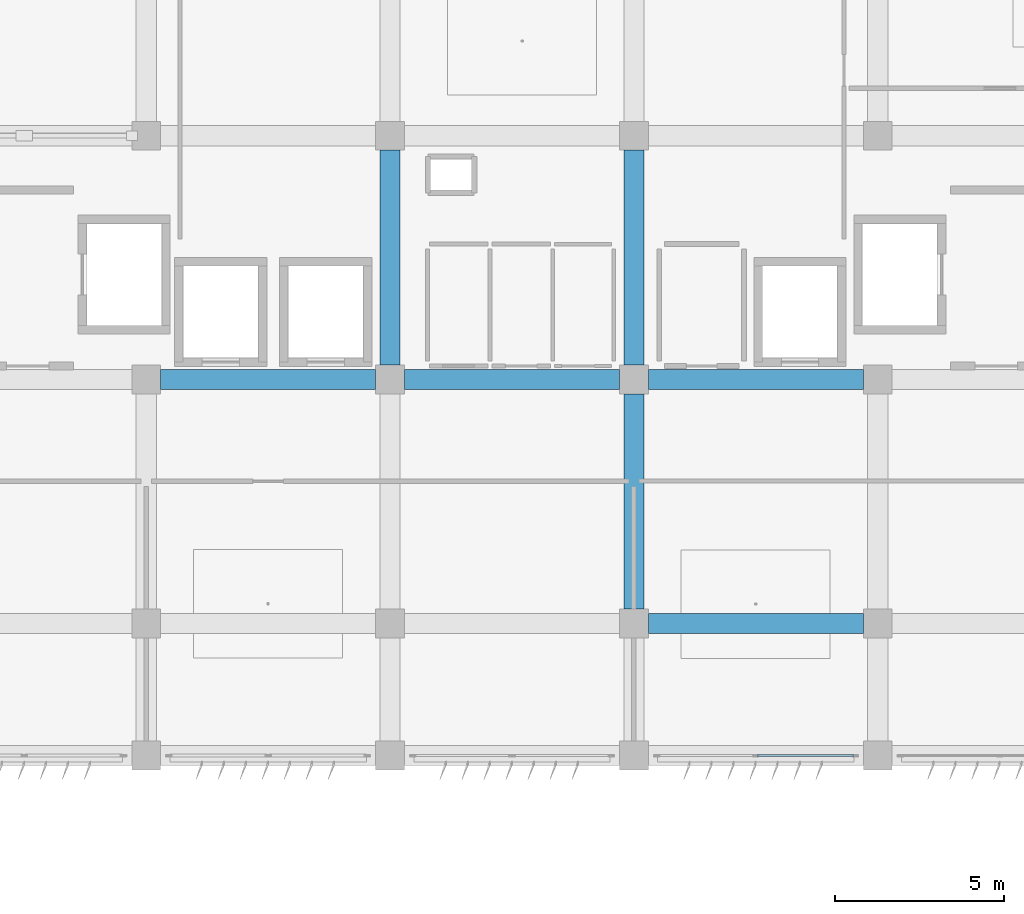
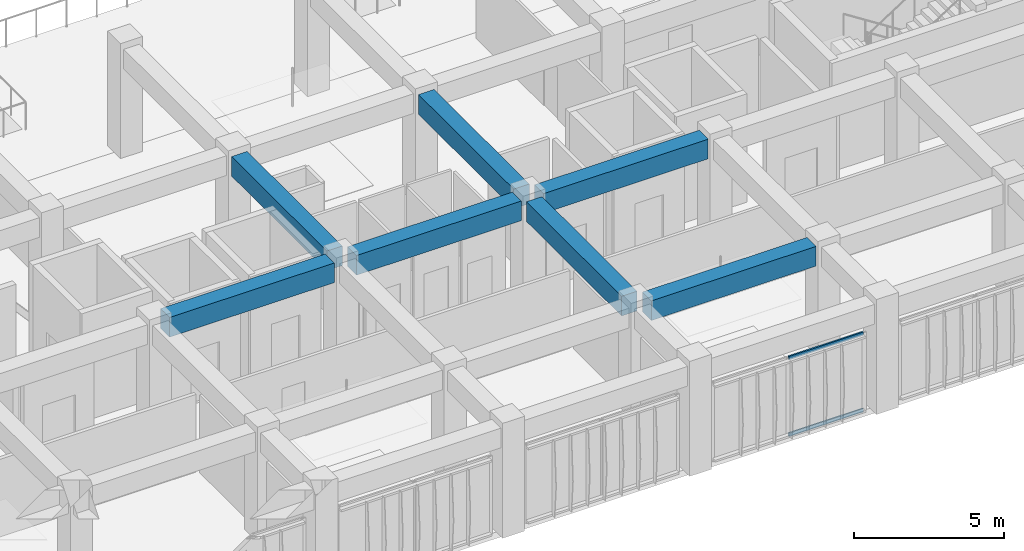
# One storey, part 14 of 55: 7 beams, 2 members, 1 element without a shape of its own.
"""IFC4 building model written with IfcOpenShell, lengths in metres."""

import ifcopenshell
import ifcopenshell.guid

model = None  # the IFC model being written
_history = None  # IfcOwnerHistory: only IFC2X3 demands one
_inside = {}  # id of a spatial element -> (the spatial element, [elements in it])
_under = {}  # id of a project, library or spatial element -> (it, [spatial elements below it])
_declared = {}  # id of a project -> (the project, [libraries it declares])
_typed = {}  # id of a type object -> (the type object, [elements of that type])
_made_of = {}  # id of a material, layer set ... -> (it, [elements and type objects made of it])


def new_model(schema):
    """Start an empty IFC model of exactly this schema.

    Asked for "IFC4X3", IfcOpenShell would pick the latest addendum, in which some entities
    have other attributes; the version numbers below select the first issue.
    IFC2X3 requires an IfcOwnerHistory on every rooted entity: one is made here for all.
    """
    global model, _history
    if schema == "IFC4X3":
        model = ifcopenshell.file(schema_version=(4, 3, 0, 0))
    else:
        model = ifcopenshell.file(schema=schema)
    _inside.clear()
    _under.clear()
    _declared.clear()
    _typed.clear()
    _made_of.clear()
    _history = None
    if model.schema == "IFC2X3":
        org = make("IfcOrganization", Name="unknown")
        user = make(
            "IfcPersonAndOrganization",
            ThePerson=make("IfcPerson", FamilyName="unknown"),
            TheOrganization=org,
        )
        app = make(
            "IfcApplication",
            ApplicationDeveloper=org,
            Version="unknown",
            ApplicationFullName="unknown",
            ApplicationIdentifier="unknown",
        )
        _history = make(
            "IfcOwnerHistory",
            OwningUser=user,
            OwningApplication=app,
            ChangeAction="ADDED",
            CreationDate=0,
        )
    return model


def make(cls, **values):
    """One entity of the class cls with the attributes given. An attribute that is None is left unset."""
    return model.create_entity(
        cls, **{name: value for name, value in values.items() if value is not None}
    )


def rooted(cls, **values):
    """An entity with a GlobalId (a new one), such as an element, a storey or a relation."""
    return make(cls, GlobalId=ifcopenshell.guid.new(), OwnerHistory=_history, **values)


def si_unit(unit_type, name, prefix=None):
    """IfcSIUnit, for example si_unit("LENGTHUNIT", "METRE", prefix="MILLI")."""
    return make("IfcSIUnit", UnitType=unit_type, Prefix=prefix, Name=name)


def assignment(units):
    """IfcUnitAssignment: the units of a project."""
    return None if units is None else make("IfcUnitAssignment", Units=units)


def point(xyz):
    """IfcCartesianPoint."""
    return None if xyz is None else make("IfcCartesianPoint", Coordinates=xyz)


def direction(xyz):
    """IfcDirection."""
    return None if xyz is None else make("IfcDirection", DirectionRatios=xyz)


def frame(location, z_axis=None, x_axis=None):
    """IfcAxis2Placement3D, a coordinate frame: its origin and axes. An axis left out is left unset."""
    return make(
        "IfcAxis2Placement3D",
        Location=point(location),
        Axis=direction(z_axis),
        RefDirection=direction(x_axis),
    )


def frame_2d(location, x_axis=None):
    """IfcAxis2Placement2D, a coordinate frame in the plane: its origin and x axis."""
    return make(
        "IfcAxis2Placement2D", Location=point(location), RefDirection=direction(x_axis)
    )


def origin():
    """The frame at (0, 0, 0) with its axes left unset."""
    return frame((0.0, 0.0, 0.0))


def origin_2d():
    """The frame at (0, 0) in the plane with its x axis left unset."""
    return frame_2d((0.0, 0.0))


def place(relative_to, where):
    """IfcLocalPlacement: puts the frame where relative to a parent placement (None: the world)."""
    return make(
        "IfcLocalPlacement", PlacementRelTo=relative_to, RelativePlacement=where
    )


def context(
    kind, dimensions, precision=None, world=None, true_north=None, identifier=None
):
    """IfcGeometricRepresentationContext, for example the 3D "Model" context."""
    return make(
        "IfcGeometricRepresentationContext",
        ContextIdentifier=identifier,
        ContextType=kind,
        CoordinateSpaceDimension=dimensions,
        Precision=precision,
        WorldCoordinateSystem=world,
        TrueNorth=true_north,
    )


def subcontext(parent, identifier, kind, view, scale=None):
    """IfcGeometricRepresentationSubContext, for example "Body" below "Model"."""
    return make(
        "IfcGeometricRepresentationSubContext",
        ContextIdentifier=identifier,
        ContextType=kind,
        ParentContext=parent,
        TargetScale=scale,
        TargetView=view,
    )


def project(units=None, contexts=None):
    """IfcProject with its units and contexts."""
    return rooted(
        "IfcProject",
        Name="project",
        RepresentationContexts=contexts,
        UnitsInContext=assignment(units),
    )


def spatial(cls, under=None, at=None, **own):
    """A site, building, storey or space (cls), placed at a placement, below another one or the project."""
    s = rooted(cls, ObjectPlacement=at, **own)
    if under is not None:
        _under.setdefault(under.id(), (under, []))[1].append(s)
    return s


def profile(cls, at=None, kind="AREA", **sizes):
    """A parametric profile (cls). Its sizes go by their IFC names, for example OverallWidth=200.0."""
    return make(cls, ProfileType=kind, Position=at, **sizes)


def rectangle(**sizes):
    """IfcRectangleProfileDef."""
    return profile("IfcRectangleProfileDef", **sizes)


def hollow_rectangle(**sizes):
    """IfcRectangleHollowProfileDef."""
    return profile("IfcRectangleHollowProfileDef", **sizes)


def extrude(swept, where, along, depth):
    """IfcExtrudedAreaSolid: the profile swept, set in the frame where, extruded along a direction by depth."""
    return make(
        "IfcExtrudedAreaSolid",
        SweptArea=swept,
        Position=where,
        ExtrudedDirection=direction(along),
        Depth=depth,
    )


def shape(context_of_items, identifier, shape_type, items):
    """IfcShapeRepresentation: the items that make up one representation, for example the "Body"."""
    return make(
        "IfcShapeRepresentation",
        ContextOfItems=context_of_items,
        RepresentationIdentifier=identifier,
        RepresentationType=shape_type,
        Items=items,
    )


def material(Name=None, Category=None):
    """IfcMaterial."""
    return make("IfcMaterial", Name=Name, Category=Category)


def material_profile(
    of_material, cross_section, Name=None, Category=None, Priority=None
):
    """IfcMaterialProfile: a cross section and its material."""
    return make(
        "IfcMaterialProfile",
        Name=Name,
        Material=of_material,
        Profile=cross_section,
        Priority=Priority,
        Category=Category,
    )


def profile_set(profiles, Name=None, composite=None):
    """IfcMaterialProfileSet."""
    return make(
        "IfcMaterialProfileSet",
        Name=Name,
        MaterialProfiles=profiles,
        CompositeProfile=composite,
    )


def made_of(thing, what):
    """Note that an element or type object is made of a material, layer set ...; save() writes the relation."""
    if what is not None:
        _made_of.setdefault(what.id(), (what, []))[1].append(thing)
    return thing


def type_object(cls, material=None, **own):
    """A type object (cls), such as IfcWallType, which elements share."""
    return made_of(rooted(cls, **own), material)


def element(
    cls,
    number,
    at=None,
    inside=None,
    cuts=None,
    type_object=None,
    material=None,
    context=None,
    identifier="Body",
    shape_type=None,
    held_by="IfcProductDefinitionShape",
    body=None,
    shapes=None,
    **own,
):
    """One element of the class cls, such as IfcWall. Its Tag is "e" and its number.

    at: its placement. inside: the storey or other place that contains it. cuts: it is an
    opening in that element (IfcRelVoidsElement). A single representation is given by context,
    identifier, shape_type and body (its items); several are given by shapes. held_by: the class
    of the entity that holds the representations. save() writes the other relations.
    """
    e = rooted(cls, Tag="e%d" % number, ObjectPlacement=at, **own)
    if body is not None:
        shapes = [shape(context, identifier, shape_type, body)]
    if shapes is not None:
        e.Representation = make(held_by, Representations=shapes)
    if inside is not None:
        _inside.setdefault(inside.id(), (inside, []))[1].append(e)
    if cuts is not None:
        rooted(
            "IfcRelVoidsElement", RelatingBuildingElement=cuts, RelatedOpeningElement=e
        )
    if type_object is not None:
        _typed.setdefault(type_object.id(), (type_object, []))[1].append(e)
    return made_of(e, material)


def aggregate(whole, parts):
    """IfcRelAggregates: a whole, such as a stair, and the parts it consists of."""
    return rooted("IfcRelAggregates", RelatingObject=whole, RelatedObjects=parts)


def save(model, path):
    """Write the relations noted so far, then the file.

    IfcRelAggregates (storeys below a building ...), IfcRelContainedInSpatialStructure (elements
    in a storey), IfcRelDefinesByType, IfcRelAssociatesMaterial and IfcRelDeclares: one each for
    every whole, place, type object, material and project.
    """
    for whole, parts in _under.values():
        aggregate(whole, parts)
    for where, things in _inside.values():
        rooted(
            "IfcRelContainedInSpatialStructure",
            RelatedElements=things,
            RelatingStructure=where,
        )
    for kind, things in _typed.values():
        rooted("IfcRelDefinesByType", RelatedObjects=things, RelatingType=kind)
    for what, things in _made_of.values():
        rooted("IfcRelAssociatesMaterial", RelatedObjects=things, RelatingMaterial=what)
    for by, libraries in _declared.values():
        rooted("IfcRelDeclares", RelatingContext=by, RelatedDefinitions=libraries)
    model.write(path)


model = new_model("IFC4")

# Units and contexts
model_context = context("Model", 3, precision=1e-05, world=origin(), true_north=direction((0.0, 1.0)))
body_context = subcontext(model_context, "Body", "Model", "MODEL_VIEW")
ifc_project = project(units=[si_unit("LENGTHUNIT", "METRE"), si_unit("AREAUNIT", "SQUARE_METRE"), si_unit("VOLUMEUNIT", "CUBIC_METRE"), si_unit("PLANEANGLEUNIT", "RADIAN"), si_unit("MASSUNIT", "GRAM", prefix="KILO")], contexts=[model_context])

# Site, building, storey
site_placement = place(None, origin())
site = spatial("IfcSite", under=ifc_project, at=site_placement, CompositionType="ELEMENT")
building_placement = place(site_placement, origin())
building = spatial("IfcBuilding", under=site, at=building_placement, Name="Kazehaya Institute of Natural Sciences", CompositionType="ELEMENT")
storey_placement = place(building_placement, frame((0.0, 0.0, 15.1201171875)))
storey = spatial("IfcBuildingStorey", under=building, at=storey_placement, Name="L03", CompositionType="ELEMENT", Elevation=15.1201171875)

# Beams
ifc_material_1 = material(Name="Concrete Fc36", Category="concrete")
ifc_material_profile_1 = material_profile(ifc_material_1, rectangle(XDim=0.60009765625, YDim=0.800048828125, at=origin_2d()), Name="RC-600x800")
ifc_profile_set_1 = profile_set([ifc_material_profile_1], Name="Concrete Fc36")
beam_type = type_object("IfcBeamType", Name="BM-G-600x800", PredefinedType="BEAM", material=ifc_profile_set_1)
for number, where, z_axis, x_axis, name in (
    (1, (91.02490234375, 14.0, 4.009765625), (1.0, 0.0, 0.0), (0.0, 1.0, 0.0), "L03 primary X girder BMX-L03-906-140"),
    (2, (76.625, 21.199951171875, 4.009765625), (1.0, 0.0, 0.0), (0.0, 1.0, 0.0), "L03 primary X girder BMX-L03-762-212"),
    (3, (83.824951171875, 21.199951171875, 4.009765625), (1.0, 0.0, 0.0), (0.0, 1.0, 0.0), "L03 primary X girder BMX-L03-834-212"),
    (4, (91.02490234375, 21.199951171875, 4.009765625), (1.0, 0.0, 0.0), (0.0, 1.0, 0.0), "L03 primary X girder BMX-L03-906-212"),
    (5, (83.39990234375, 21.625, 4.009765625), (0.0, 1.0, 0.0), (-1.0, 0.0, 0.0), "L03 primary Y girder BMY-L03-834-212"),
):
    element("IfcBeam", number, at=place(storey_placement, frame(where, z_axis=z_axis, x_axis=x_axis)), inside=storey, type_object=beam_type, Name=name, PredefinedType="BEAM", context=body_context, shape_type="SweptSolid", body=[
        extrude(rectangle(XDim=0.60009765625, YDim=0.800048828125, at=origin_2d()), origin(), (0.0, 0.0, 1.0), 6.35009765625),
    ])
beam_1_placement = place(storey_placement, frame((90.60009765625, 14.425048828125, 4.009765625), z_axis=(0.0, 1.0, 0.0), x_axis=(-1.0, 0.0, 0.0)))
element("IfcBeam", 6, at=beam_1_placement, inside=storey, type_object=beam_type, Name="L03 primary Y girder BMY-L03-906-140", PredefinedType="BEAM", context=body_context, shape_type="SweptSolid", body=[
    extrude(rectangle(XDim=0.60009765625, YDim=0.800048828125, at=origin_2d()), origin(), (0.0, 0.0, 1.0), 6.349853515625),
])
beam_2_placement = place(storey_placement, frame((90.60009765625, 21.625, 4.009765625), z_axis=(0.0, 1.0, 0.0), x_axis=(-1.0, 0.0, 0.0)))
element("IfcBeam", 7, at=beam_2_placement, inside=storey, type_object=beam_type, Name="L03 primary Y girder BMY-L03-906-212", PredefinedType="BEAM", context=body_context, shape_type="SweptSolid", body=[
    extrude(rectangle(XDim=0.60009765625, YDim=0.800048828125, at=origin_2d()), origin(), (0.0, 0.0, 1.0), 6.35009765625),
])

# Curtain wall, members
ifc_material_2 = material(Name="Aluminium alloy A6063S-T5", Category="aluminium")
curtain_wall_type = type_object("IfcCurtainWallType", Name="CW-SYS-03", PredefinedType="NOTDEFINED", material=ifc_material_2)
curtain_wall_placement = place(storey_placement, origin())
curtain_wall = element("IfcCurtainWall", 8, at=curtain_wall_placement, inside=storey, type_object=curtain_wall_type, Name="L03 unitised curtain wall CW-L03-060", PredefinedType="NOTDEFINED")
ifc_material_profile_2 = material_profile(ifc_material_2, hollow_rectangle(XDim=0.06005859375, YDim=0.139892578125, WallThickness=0.00341796875, at=origin_2d()), Name="ALU-60x140x3.5")
ifc_profile_set_2 = profile_set([ifc_material_profile_2], Name="Aluminium alloy A6063S-T5")
member_type = type_object("IfcMemberType", Name="CWT-140", PredefinedType="USERDEFINED", material=ifc_profile_set_2)
member_1_placement = place(storey_placement, frame((97.10009765625, 10.10009765625, 0.02978515625), z_axis=(-1.0, 0.0, 0.0), x_axis=(0.0, -1.0, 0.0)))
member_1 = element("IfcMember", 9, at=member_1_placement, type_object=member_type, Name="CW03 transom 1.1", ObjectType="TRANSOM", PredefinedType="USERDEFINED", context=body_context, shape_type="SweptSolid", body=[
    extrude(hollow_rectangle(XDim=0.06005859375, YDim=0.139892578125, WallThickness=0.00341796875, at=origin_2d()), origin(), (0.0, 0.0, 1.0), 2.8701171875),
])
member_2_placement = place(storey_placement, frame((97.10009765625, 10.10009765625, 3.14990234375), z_axis=(-1.0, 0.0, 0.0), x_axis=(0.0, -1.0, 0.0)))
member_2 = element("IfcMember", 10, at=member_2_placement, type_object=member_type, Name="CW03 transom 1.2", ObjectType="TRANSOM", PredefinedType="USERDEFINED", context=body_context, shape_type="SweptSolid", body=[
    extrude(hollow_rectangle(XDim=0.06005859375, YDim=0.139892578125, WallThickness=0.00341796875, at=origin_2d()), origin(), (0.0, 0.0, 1.0), 2.8701171875),
])
aggregate(curtain_wall, [member_1, member_2])

save(model, "model.ifc")
